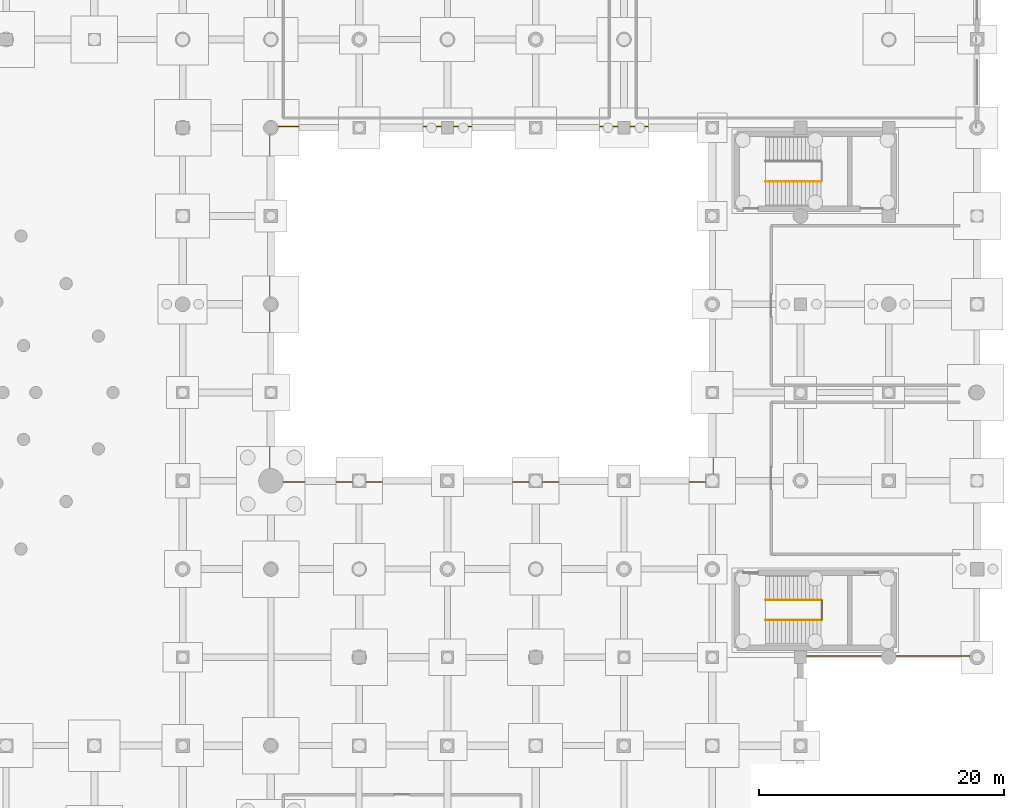
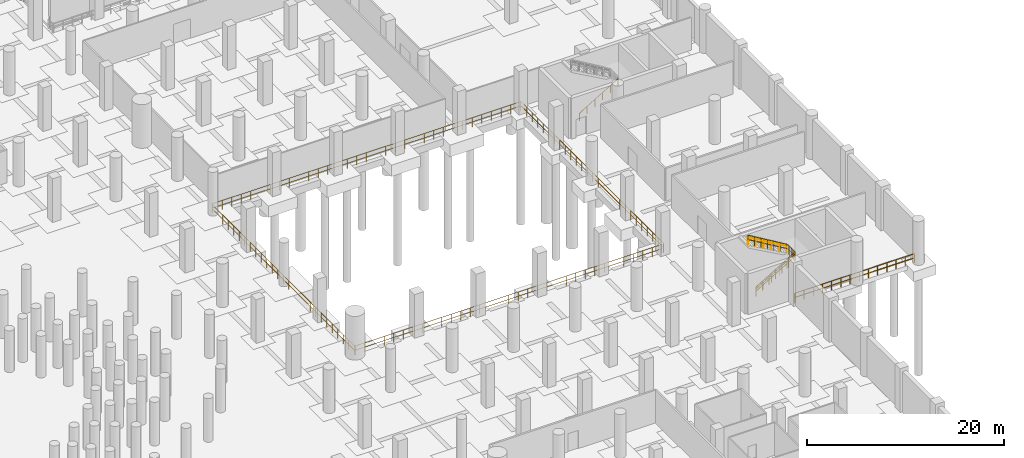
# One storey, part 34 of 37: 8 railings.
"""IFC4 building model written with IfcOpenShell, lengths in metres."""

from ifc_helpers import new_model, si_unit, direction, frame, origin, origin_2d, place, context, subcontext, project, spatial, circle, extrude, material, type_object, element, save


model = new_model("IFC4")

# Units and contexts
model_context = context("Model", 3, precision=1e-05, world=origin(), true_north=direction((0.0, 1.0)))
body_context = subcontext(model_context, "Body", "Model", "MODEL_VIEW")
ifc_project = project(units=[si_unit("LENGTHUNIT", "METRE"), si_unit("AREAUNIT", "SQUARE_METRE"), si_unit("VOLUMEUNIT", "CUBIC_METRE"), si_unit("PLANEANGLEUNIT", "RADIAN"), si_unit("MASSUNIT", "GRAM", prefix="KILO")], contexts=[model_context])

# Site, building, storey
site_placement = place(None, origin())
site = spatial("IfcSite", under=ifc_project, at=site_placement, CompositionType="ELEMENT")
building_placement = place(site_placement, origin())
building = spatial("IfcBuilding", under=site, at=building_placement, Name="Qandorah Velis Arena", CompositionType="ELEMENT")
storey_placement = place(building_placement, frame((0.0, 0.0, -5.39990234375)))
storey = spatial("IfcBuildingStorey", under=building, at=storey_placement, Name="B1", CompositionType="ELEMENT", Elevation=-5.39990234375)

# Railings
ifc_material = material(Name="Stainless steel 316", Category="steel")
railing_type_1 = type_object("IfcRailingType", Name="ARC-RL-GRD1150", PredefinedType="GUARDRAIL", material=ifc_material)
railing_1_placement = place(storey_placement, frame((160.14599609375, 46.239990234375, 2.699951171875)))
element("IfcRailing", 1, at=railing_1_placement, inside=storey, type_object=railing_type_1, Name="Stair ST7 well guardrail (B1)", PredefinedType="GUARDRAIL", context=body_context, shape_type="SweptSolid", body=[
    extrude(circle(Radius=0.02392578125, at=origin_2d()), frame((0.0, 0.0, 1.1259765625), z_axis=(0.0, 1.0, 0.0), x_axis=(-1.0, 0.0, 0.0)), (0.0, 0.0, 1.0), 1.6201171875),
    extrude(circle(Radius=0.02392578125, at=origin_2d()), frame((0.0, 0.0, 0.597900390625), z_axis=(0.0, 1.0, 0.0), x_axis=(-1.0, 0.0, 0.0)), (0.0, 0.0, 1.0), 1.6201171875),
    extrude(circle(Radius=0.02099609375, at=origin_2d()), origin(), (0.0, 0.0, 1.0), 1.101806640625),
    extrude(circle(Radius=0.02099609375, at=origin_2d()), frame((0.0, 0.27001953125, 0.0)), (0.0, 0.0, 1.0), 1.101806640625),
    extrude(circle(Radius=0.02099609375, at=origin_2d()), frame((0.0, 0.5400390625, 0.0)), (0.0, 0.0, 1.0), 1.101806640625),
    extrude(circle(Radius=0.02099609375, at=origin_2d()), frame((0.0, 0.81005859375, 0.0)), (0.0, 0.0, 1.0), 1.101806640625),
    extrude(circle(Radius=0.02099609375, at=origin_2d()), frame((0.0, 1.080078125, 0.0)), (0.0, 0.0, 1.0), 1.101806640625),
    extrude(circle(Radius=0.02099609375, at=origin_2d()), frame((0.0, 1.35009765625, 0.0)), (0.0, 0.0, 1.0), 1.101806640625),
    extrude(circle(Radius=0.02099609375, at=origin_2d()), frame((0.0, 1.6201171875, 0.0)), (0.0, 0.0, 1.0), 1.101806640625),
])
railing_2_placement = place(storey_placement, frame((155.550048828125, 46.22998046875, 0.0)))
element("IfcRailing", 2, at=railing_2_placement, inside=storey, type_object=railing_type_1, Name="Stair ST7 inner flight 1 guardrail (B1)", PredefinedType="GUARDRAIL", context=body_context, shape_type="SweptSolid", body=[
    extrude(circle(Radius=0.02392578125, at=origin_2d()), frame((0.0, 0.0, 1.1259765625), z_axis=(0.859291432417, 0.0, 0.511486299107), x_axis=(0.0, 1.0, 0.0)), (0.0, 0.0, 1.0), 5.278564453125),
    extrude(circle(Radius=0.02392578125, at=origin_2d()), frame((0.0, 0.0, 0.597900390625), z_axis=(0.859291432417, 0.0, 0.511486299107), x_axis=(0.0, 1.0, 0.0)), (0.0, 0.0, 1.0), 5.278564453125),
    extrude(circle(Radius=0.02099609375, at=origin_2d()), origin(), (0.0, 0.0, 1.0), 1.101806640625),
    extrude(circle(Radius=0.02099609375, at=origin_2d()), frame((0.755859375, 0.0, 0.449951171875)), (0.0, 0.0, 1.0), 1.101806640625),
    extrude(circle(Radius=0.02099609375, at=origin_2d()), frame((1.511962890625, 0.0, 0.89990234375)), (0.0, 0.0, 1.0), 1.101806640625),
    extrude(circle(Radius=0.02099609375, at=origin_2d()), frame((2.26806640625, 0.0, 1.35009765625)), (0.0, 0.0, 1.0), 1.101806640625),
    extrude(circle(Radius=0.02099609375, at=origin_2d()), frame((3.02392578125, 0.0, 1.800048828125)), (0.0, 0.0, 1.0), 1.101806640625),
    extrude(circle(Radius=0.02099609375, at=origin_2d()), frame((3.77978515625, 0.0, 2.25)), (0.0, 0.0, 1.0), 1.101806640625),
    extrude(circle(Radius=0.02099609375, at=origin_2d()), frame((4.535888671875, 0.0, 2.699951171875)), (0.0, 0.0, 1.0), 1.101806640625),
])
railing_3_placement = place(storey_placement, frame((160.0859375, 47.8701171875, 2.699951171875)))
element("IfcRailing", 3, at=railing_3_placement, inside=storey, type_object=railing_type_1, Name="Stair ST7 inner flight 2 guardrail (B1)", PredefinedType="GUARDRAIL", context=body_context, shape_type="SweptSolid", body=[
    extrude(circle(Radius=0.02392578125, at=origin_2d()), frame((0.0, 0.0, 1.1259765625), z_axis=(-0.859291432417, 0.0, 0.511486299107), x_axis=(0.0, -1.0, 0.0)), (0.0, 0.0, 1.0), 5.278564453125),
    extrude(circle(Radius=0.02392578125, at=origin_2d()), frame((0.0, 0.0, 0.597900390625), z_axis=(-0.859291432417, 0.0, 0.511486299107), x_axis=(0.0, -1.0, 0.0)), (0.0, 0.0, 1.0), 5.278564453125),
    extrude(circle(Radius=0.02099609375, at=origin_2d()), origin(), (0.0, 0.0, 1.0), 1.101806640625),
    extrude(circle(Radius=0.02099609375, at=origin_2d()), frame((-0.755859375, 0.0, 0.449951171875)), (0.0, 0.0, 1.0), 1.101806640625),
    extrude(circle(Radius=0.02099609375, at=origin_2d()), frame((-1.511962890625, 0.0, 0.89990234375)), (0.0, 0.0, 1.0), 1.101806640625),
    extrude(circle(Radius=0.02099609375, at=origin_2d()), frame((-2.26806640625, 0.0, 1.35009765625)), (0.0, 0.0, 1.0), 1.101806640625),
    extrude(circle(Radius=0.02099609375, at=origin_2d()), frame((-3.02392578125, 0.0, 1.800048828125)), (0.0, 0.0, 1.0), 1.101806640625),
    extrude(circle(Radius=0.02099609375, at=origin_2d()), frame((-3.77978515625, 0.0, 2.25)), (0.0, 0.0, 1.0), 1.101806640625),
    extrude(circle(Radius=0.02099609375, at=origin_2d()), frame((-4.535888671875, 0.0, 2.699951171875)), (0.0, 0.0, 1.0), 1.101806640625),
])
railing_4_placement = place(storey_placement, frame((172.389892578125, 43.300048828125, 0.0)))
element("IfcRailing", 4, at=railing_4_placement, inside=storey, type_object=railing_type_1, Name="Slab edge safety guardrail B1-017", PredefinedType="GUARDRAIL", context=body_context, shape_type="SweptSolid", body=[
    extrude(circle(Radius=0.02392578125, at=origin_2d()), frame((0.0, 0.0, 1.1259765625), z_axis=(-1.0, 0.0, 0.0), x_axis=(0.0, -1.0, 0.0)), (0.0, 0.0, 1.0), 13.989990234375),
    extrude(circle(Radius=0.02392578125, at=origin_2d()), frame((0.0, 0.0, 0.597900390625), z_axis=(-1.0, 0.0, 0.0), x_axis=(0.0, -1.0, 0.0)), (0.0, 0.0, 1.0), 13.989990234375),
    extrude(circle(Radius=0.02392578125, at=origin_2d()), frame((-13.989990234375, 0.0, 1.1259765625), z_axis=(-0.77215252196, -0.635437237523, 0.0), x_axis=(0.635437237523, -0.77215252196, 0.0)), (0.0, 0.0, 1.0), 0.126708984375),
    extrude(circle(Radius=0.02392578125, at=origin_2d()), frame((-13.989990234375, 0.0, 0.597900390625), z_axis=(-0.77215252196, -0.635437237523, 0.0), x_axis=(0.635437237523, -0.77215252196, 0.0)), (0.0, 0.0, 1.0), 0.126708984375),
    extrude(circle(Radius=0.02099609375, at=origin_2d()), origin(), (0.0, 0.0, 1.0), 1.101806640625),
    extrude(circle(Radius=0.02099609375, at=origin_2d()), frame((-1.076171875, 0.0, 0.0)), (0.0, 0.0, 1.0), 1.101806640625),
    extrude(circle(Radius=0.02099609375, at=origin_2d()), frame((-2.15234375, 0.0, 0.0)), (0.0, 0.0, 1.0), 1.101806640625),
    extrude(circle(Radius=0.02099609375, at=origin_2d()), frame((-3.228515625, 0.0, 0.0)), (0.0, 0.0, 1.0), 1.101806640625),
    extrude(circle(Radius=0.02099609375, at=origin_2d()), frame((-4.3046875, 0.0, 0.0)), (0.0, 0.0, 1.0), 1.101806640625),
    extrude(circle(Radius=0.02099609375, at=origin_2d()), frame((-5.380859375, 0.0, 0.0)), (0.0, 0.0, 1.0), 1.101806640625),
    extrude(circle(Radius=0.02099609375, at=origin_2d()), frame((-6.45703125, 0.0, 0.0)), (0.0, 0.0, 1.0), 1.101806640625),
    extrude(circle(Radius=0.02099609375, at=origin_2d()), frame((-7.532958984375, 0.0, 0.0)), (0.0, 0.0, 1.0), 1.101806640625),
    extrude(circle(Radius=0.02099609375, at=origin_2d()), frame((-8.609130859375, 0.0, 0.0)), (0.0, 0.0, 1.0), 1.101806640625),
    extrude(circle(Radius=0.02099609375, at=origin_2d()), frame((-9.685302734375, 0.0, 0.0)), (0.0, 0.0, 1.0), 1.101806640625),
    extrude(circle(Radius=0.02099609375, at=origin_2d()), frame((-10.761474609375, 0.0, 0.0)), (0.0, 0.0, 1.0), 1.101806640625),
    extrude(circle(Radius=0.02099609375, at=origin_2d()), frame((-11.837646484375, 0.0, 0.0)), (0.0, 0.0, 1.0), 1.101806640625),
    extrude(circle(Radius=0.02099609375, at=origin_2d()), frame((-12.913818359375, 0.0, 0.0)), (0.0, 0.0, 1.0), 1.101806640625),
    extrude(circle(Radius=0.02099609375, at=origin_2d()), frame((-13.989990234375, 0.0, 0.0)), (0.0, 0.0, 1.0), 1.101806640625),
    extrude(circle(Radius=0.02099609375, at=origin_2d()), frame((-14.087890625, -0.08056640625, 0.0)), (0.0, 0.0, 1.0), 1.101806640625),
])
railing_5_placement = place(storey_placement, frame((151.199951171875, 57.5, 0.0)))
element("IfcRailing", 5, at=railing_5_placement, inside=storey, type_object=railing_type_1, Name="Slab edge safety guardrail B1-018", PredefinedType="GUARDRAIL", context=body_context, shape_type="SweptSolid", body=[
    extrude(circle(Radius=0.02392578125, at=origin_2d()), frame((0.0, 0.0, 1.1259765625), z_axis=(0.772928297309, 0.634493378388, 0.0), x_axis=(-0.634493378388, 0.772928297309, 0.0)), (0.0, 0.0, 1.0), 0.126953125),
    extrude(circle(Radius=0.02392578125, at=origin_2d()), frame((0.0, 0.0, 0.597900390625), z_axis=(0.772928297309, 0.634493378388, 0.0), x_axis=(-0.634493378388, 0.772928297309, 0.0)), (0.0, 0.0, 1.0), 0.126953125),
    extrude(circle(Radius=0.02392578125, at=origin_2d()), frame((0.09814453125, 0.08056640625, 1.1259765625), z_axis=(6.7771339e-05, 0.999999997704, 0.0), x_axis=(-0.999999997704, 6.7771339e-05, 0.0)), (0.0, 0.0, 1.0), 28.8193359375),
    extrude(circle(Radius=0.02392578125, at=origin_2d()), frame((0.09814453125, 0.08056640625, 0.597900390625), z_axis=(6.7771339e-05, 0.999999997704, 0.0), x_axis=(-0.999999997704, 6.7771339e-05, 0.0)), (0.0, 0.0, 1.0), 28.8193359375),
    extrude(circle(Radius=0.02392578125, at=origin_2d()), frame((0.10009765625, 28.89990234375, 1.1259765625), z_axis=(-0.634493378388, 0.772928297309, 0.0), x_axis=(-0.772928297309, -0.634493378388, 0.0)), (0.0, 0.0, 1.0), 0.126953125),
    extrude(circle(Radius=0.02392578125, at=origin_2d()), frame((0.10009765625, 28.89990234375, 0.597900390625), z_axis=(-0.634493378388, 0.772928297309, 0.0), x_axis=(-0.772928297309, -0.634493378388, 0.0)), (0.0, 0.0, 1.0), 0.126953125),
    extrude(circle(Radius=0.02392578125, at=origin_2d()), frame((0.01953125, 28.998046875, 1.1259765625), z_axis=(-0.99999999853, 5.4224054e-05, 0.0), x_axis=(-5.4224054e-05, -0.99999999853, 0.0)), (0.0, 0.0, 1.0), 36.01953125),
    extrude(circle(Radius=0.02392578125, at=origin_2d()), frame((0.01953125, 28.998046875, 0.597900390625), z_axis=(-0.99999999853, 5.4224054e-05, 0.0), x_axis=(-5.4224054e-05, -0.99999999853, 0.0)), (0.0, 0.0, 1.0), 36.01953125),
    extrude(circle(Radius=0.02392578125, at=origin_2d()), frame((-36.0, 29.0, 1.1259765625), z_axis=(-0.772928297309, -0.634493378388, 0.0), x_axis=(0.634493378388, -0.772928297309, 0.0)), (0.0, 0.0, 1.0), 0.126953125),
    extrude(circle(Radius=0.02392578125, at=origin_2d()), frame((-36.0, 29.0, 0.597900390625), z_axis=(-0.772928297309, -0.634493378388, 0.0), x_axis=(0.634493378388, -0.772928297309, 0.0)), (0.0, 0.0, 1.0), 0.126953125),
    extrude(circle(Radius=0.02392578125, at=origin_2d()), frame((-36.09814453125, 28.91943359375, 1.1259765625), z_axis=(-5.9299922e-05, -0.999999998242, 0.0), x_axis=(0.999999998242, -5.9299922e-05, 0.0)), (0.0, 0.0, 1.0), 28.8193359375),
    extrude(circle(Radius=0.02392578125, at=origin_2d()), frame((-36.09814453125, 28.91943359375, 0.597900390625), z_axis=(-5.9299922e-05, -0.999999998242, 0.0), x_axis=(0.999999998242, -5.9299922e-05, 0.0)), (0.0, 0.0, 1.0), 28.8193359375),
    extrude(circle(Radius=0.02392578125, at=origin_2d()), frame((-36.099853515625, 0.10009765625, 1.1259765625), z_axis=(0.633342614097, -0.773871522392, 0.0), x_axis=(0.773871522392, 0.633342614097, 0.0)), (0.0, 0.0, 1.0), 0.126708984375),
    extrude(circle(Radius=0.02392578125, at=origin_2d()), frame((-36.099853515625, 0.10009765625, 0.597900390625), z_axis=(0.633342614097, -0.773871522392, 0.0), x_axis=(0.773871522392, 0.633342614097, 0.0)), (0.0, 0.0, 1.0), 0.126708984375),
    extrude(circle(Radius=0.02392578125, at=origin_2d()), frame((-36.01953125, 0.001953125, 1.1259765625), z_axis=(0.999999998517, -5.446586e-05, 0.0), x_axis=(5.446586e-05, 0.999999998517, 0.0)), (0.0, 0.0, 1.0), 35.859619140625),
    extrude(circle(Radius=0.02392578125, at=origin_2d()), frame((-36.01953125, 0.001953125, 0.597900390625), z_axis=(0.999999998517, -5.446586e-05, 0.0), x_axis=(5.446586e-05, 0.999999998517, 0.0)), (0.0, 0.0, 1.0), 35.859619140625),
    extrude(circle(Radius=0.02099609375, at=origin_2d()), origin(), (0.0, 0.0, 1.0), 1.101806640625),
    extrude(circle(Radius=0.02099609375, at=origin_2d()), frame((0.09814453125, 0.08056640625, 0.0)), (0.0, 0.0, 1.0), 1.101806640625),
    extrude(circle(Radius=0.02099609375, at=origin_2d()), frame((0.09814453125, 1.18896484375, 0.0)), (0.0, 0.0, 1.0), 1.101806640625),
    extrude(circle(Radius=0.02099609375, at=origin_2d()), frame((0.098388671875, 2.29736328125, 0.0)), (0.0, 0.0, 1.0), 1.101806640625),
    extrude(circle(Radius=0.02099609375, at=origin_2d()), frame((0.098388671875, 3.40576171875, 0.0)), (0.0, 0.0, 1.0), 1.101806640625),
    extrude(circle(Radius=0.02099609375, at=origin_2d()), frame((0.098388671875, 4.514404296875, 0.0)), (0.0, 0.0, 1.0), 1.101806640625),
    extrude(circle(Radius=0.02099609375, at=origin_2d()), frame((0.0986328125, 5.622802734375, 0.0)), (0.0, 0.0, 1.0), 1.101806640625),
    extrude(circle(Radius=0.02099609375, at=origin_2d()), frame((0.0986328125, 6.731201171875, 0.0)), (0.0, 0.0, 1.0), 1.101806640625),
    extrude(circle(Radius=0.02099609375, at=origin_2d()), frame((0.0986328125, 7.839599609375, 0.0)), (0.0, 0.0, 1.0), 1.101806640625),
    extrude(circle(Radius=0.02099609375, at=origin_2d()), frame((0.0986328125, 8.947998046875, 0.0)), (0.0, 0.0, 1.0), 1.101806640625),
    extrude(circle(Radius=0.02099609375, at=origin_2d()), frame((0.098876953125, 10.056396484375, 0.0)), (0.0, 0.0, 1.0), 1.101806640625),
    extrude(circle(Radius=0.02099609375, at=origin_2d()), frame((0.098876953125, 11.1650390625, 0.0)), (0.0, 0.0, 1.0), 1.101806640625),
    extrude(circle(Radius=0.02099609375, at=origin_2d()), frame((0.098876953125, 12.2734375, 0.0)), (0.0, 0.0, 1.0), 1.101806640625),
    extrude(circle(Radius=0.02099609375, at=origin_2d()), frame((0.09912109375, 13.3818359375, 0.0)), (0.0, 0.0, 1.0), 1.101806640625),
    extrude(circle(Radius=0.02099609375, at=origin_2d()), frame((0.09912109375, 14.490234375, 0.0)), (0.0, 0.0, 1.0), 1.101806640625),
    extrude(circle(Radius=0.02099609375, at=origin_2d()), frame((0.09912109375, 15.5986328125, 0.0)), (0.0, 0.0, 1.0), 1.101806640625),
    extrude(circle(Radius=0.02099609375, at=origin_2d()), frame((0.099365234375, 16.70703125, 0.0)), (0.0, 0.0, 1.0), 1.101806640625),
    extrude(circle(Radius=0.02099609375, at=origin_2d()), frame((0.099365234375, 17.8154296875, 0.0)), (0.0, 0.0, 1.0), 1.101806640625),
    extrude(circle(Radius=0.02099609375, at=origin_2d()), frame((0.099365234375, 18.924072265625, 0.0)), (0.0, 0.0, 1.0), 1.101806640625),
    extrude(circle(Radius=0.02099609375, at=origin_2d()), frame((0.099609375, 20.032470703125, 0.0)), (0.0, 0.0, 1.0), 1.101806640625),
    extrude(circle(Radius=0.02099609375, at=origin_2d()), frame((0.099609375, 21.140869140625, 0.0)), (0.0, 0.0, 1.0), 1.101806640625),
    extrude(circle(Radius=0.02099609375, at=origin_2d()), frame((0.099609375, 22.249267578125, 0.0)), (0.0, 0.0, 1.0), 1.101806640625),
    extrude(circle(Radius=0.02099609375, at=origin_2d()), frame((0.099609375, 23.357666015625, 0.0)), (0.0, 0.0, 1.0), 1.101806640625),
    extrude(circle(Radius=0.02099609375, at=origin_2d()), frame((0.099853515625, 24.466064453125, 0.0)), (0.0, 0.0, 1.0), 1.101806640625),
    extrude(circle(Radius=0.02099609375, at=origin_2d()), frame((0.099853515625, 25.57470703125, 0.0)), (0.0, 0.0, 1.0), 1.101806640625),
    extrude(circle(Radius=0.02099609375, at=origin_2d()), frame((0.099853515625, 26.68310546875, 0.0)), (0.0, 0.0, 1.0), 1.101806640625),
    extrude(circle(Radius=0.02099609375, at=origin_2d()), frame((0.10009765625, 27.79150390625, 0.0)), (0.0, 0.0, 1.0), 1.101806640625),
    extrude(circle(Radius=0.02099609375, at=origin_2d()), frame((0.10009765625, 28.89990234375, 0.0)), (0.0, 0.0, 1.0), 1.101806640625),
    extrude(circle(Radius=0.02099609375, at=origin_2d()), frame((0.01953125, 28.998046875, 0.0)), (0.0, 0.0, 1.0), 1.101806640625),
    extrude(circle(Radius=0.02099609375, at=origin_2d()), frame((-1.10595703125, 28.998046875, 0.0)), (0.0, 0.0, 1.0), 1.101806640625),
    extrude(circle(Radius=0.02099609375, at=origin_2d()), frame((-2.231689453125, 28.998046875, 0.0)), (0.0, 0.0, 1.0), 1.101806640625),
    extrude(circle(Radius=0.02099609375, at=origin_2d()), frame((-3.357421875, 28.998291015625, 0.0)), (0.0, 0.0, 1.0), 1.101806640625),
    extrude(circle(Radius=0.02099609375, at=origin_2d()), frame((-4.48291015625, 28.998291015625, 0.0)), (0.0, 0.0, 1.0), 1.101806640625),
    extrude(circle(Radius=0.02099609375, at=origin_2d()), frame((-5.6083984375, 28.998291015625, 0.0)), (0.0, 0.0, 1.0), 1.101806640625),
    extrude(circle(Radius=0.02099609375, at=origin_2d()), frame((-6.734130859375, 28.99853515625, 0.0)), (0.0, 0.0, 1.0), 1.101806640625),
    extrude(circle(Radius=0.02099609375, at=origin_2d()), frame((-7.85986328125, 28.99853515625, 0.0)), (0.0, 0.0, 1.0), 1.101806640625),
    extrude(circle(Radius=0.02099609375, at=origin_2d()), frame((-8.9853515625, 28.99853515625, 0.0)), (0.0, 0.0, 1.0), 1.101806640625),
    extrude(circle(Radius=0.02099609375, at=origin_2d()), frame((-10.11083984375, 28.99853515625, 0.0)), (0.0, 0.0, 1.0), 1.101806640625),
    extrude(circle(Radius=0.02099609375, at=origin_2d()), frame((-11.236572265625, 28.99853515625, 0.0)), (0.0, 0.0, 1.0), 1.101806640625),
    extrude(circle(Radius=0.02099609375, at=origin_2d()), frame((-12.3623046875, 28.998779296875, 0.0)), (0.0, 0.0, 1.0), 1.101806640625),
    extrude(circle(Radius=0.02099609375, at=origin_2d()), frame((-13.48779296875, 28.998779296875, 0.0)), (0.0, 0.0, 1.0), 1.101806640625),
    extrude(circle(Radius=0.02099609375, at=origin_2d()), frame((-14.61328125, 28.998779296875, 0.0)), (0.0, 0.0, 1.0), 1.101806640625),
    extrude(circle(Radius=0.02099609375, at=origin_2d()), frame((-15.739013671875, 28.9990234375, 0.0)), (0.0, 0.0, 1.0), 1.101806640625),
    extrude(circle(Radius=0.02099609375, at=origin_2d()), frame((-16.86474609375, 28.9990234375, 0.0)), (0.0, 0.0, 1.0), 1.101806640625),
    extrude(circle(Radius=0.02099609375, at=origin_2d()), frame((-17.990234375, 28.9990234375, 0.0)), (0.0, 0.0, 1.0), 1.101806640625),
    extrude(circle(Radius=0.02099609375, at=origin_2d()), frame((-19.11572265625, 28.9990234375, 0.0)), (0.0, 0.0, 1.0), 1.101806640625),
    extrude(circle(Radius=0.02099609375, at=origin_2d()), frame((-20.241455078125, 28.9990234375, 0.0)), (0.0, 0.0, 1.0), 1.101806640625),
    extrude(circle(Radius=0.02099609375, at=origin_2d()), frame((-21.3671875, 28.999267578125, 0.0)), (0.0, 0.0, 1.0), 1.101806640625),
    extrude(circle(Radius=0.02099609375, at=origin_2d()), frame((-22.49267578125, 28.999267578125, 0.0)), (0.0, 0.0, 1.0), 1.101806640625),
    extrude(circle(Radius=0.02099609375, at=origin_2d()), frame((-23.6181640625, 28.999267578125, 0.0)), (0.0, 0.0, 1.0), 1.101806640625),
    extrude(circle(Radius=0.02099609375, at=origin_2d()), frame((-24.743896484375, 28.99951171875, 0.0)), (0.0, 0.0, 1.0), 1.101806640625),
    extrude(circle(Radius=0.02099609375, at=origin_2d()), frame((-25.86962890625, 28.99951171875, 0.0)), (0.0, 0.0, 1.0), 1.101806640625),
    extrude(circle(Radius=0.02099609375, at=origin_2d()), frame((-26.9951171875, 28.99951171875, 0.0)), (0.0, 0.0, 1.0), 1.101806640625),
    extrude(circle(Radius=0.02099609375, at=origin_2d()), frame((-28.12060546875, 28.99951171875, 0.0)), (0.0, 0.0, 1.0), 1.101806640625),
    extrude(circle(Radius=0.02099609375, at=origin_2d()), frame((-29.246337890625, 28.99951171875, 0.0)), (0.0, 0.0, 1.0), 1.101806640625),
    extrude(circle(Radius=0.02099609375, at=origin_2d()), frame((-30.3720703125, 28.999755859375, 0.0)), (0.0, 0.0, 1.0), 1.101806640625),
    extrude(circle(Radius=0.02099609375, at=origin_2d()), frame((-31.49755859375, 28.999755859375, 0.0)), (0.0, 0.0, 1.0), 1.101806640625),
    extrude(circle(Radius=0.02099609375, at=origin_2d()), frame((-32.623046875, 28.999755859375, 0.0)), (0.0, 0.0, 1.0), 1.101806640625),
    extrude(circle(Radius=0.02099609375, at=origin_2d()), frame((-33.748779296875, 29.0, 0.0)), (0.0, 0.0, 1.0), 1.101806640625),
    extrude(circle(Radius=0.02099609375, at=origin_2d()), frame((-34.87451171875, 29.0, 0.0)), (0.0, 0.0, 1.0), 1.101806640625),
    extrude(circle(Radius=0.02099609375, at=origin_2d()), frame((-36.0, 29.0, 0.0)), (0.0, 0.0, 1.0), 1.101806640625),
    extrude(circle(Radius=0.02099609375, at=origin_2d()), frame((-36.09814453125, 28.91943359375, 0.0)), (0.0, 0.0, 1.0), 1.101806640625),
    extrude(circle(Radius=0.02099609375, at=origin_2d()), frame((-36.09814453125, 27.81103515625, 0.0)), (0.0, 0.0, 1.0), 1.101806640625),
    extrude(circle(Radius=0.02099609375, at=origin_2d()), frame((-36.098388671875, 26.70263671875, 0.0)), (0.0, 0.0, 1.0), 1.101806640625),
    extrude(circle(Radius=0.02099609375, at=origin_2d()), frame((-36.098388671875, 25.59423828125, 0.0)), (0.0, 0.0, 1.0), 1.101806640625),
    extrude(circle(Radius=0.02099609375, at=origin_2d()), frame((-36.098388671875, 24.485595703125, 0.0)), (0.0, 0.0, 1.0), 1.101806640625),
    extrude(circle(Radius=0.02099609375, at=origin_2d()), frame((-36.098388671875, 23.377197265625, 0.0)), (0.0, 0.0, 1.0), 1.101806640625),
    extrude(circle(Radius=0.02099609375, at=origin_2d()), frame((-36.0986328125, 22.268798828125, 0.0)), (0.0, 0.0, 1.0), 1.101806640625),
    extrude(circle(Radius=0.02099609375, at=origin_2d()), frame((-36.0986328125, 21.160400390625, 0.0)), (0.0, 0.0, 1.0), 1.101806640625),
    extrude(circle(Radius=0.02099609375, at=origin_2d()), frame((-36.0986328125, 20.052001953125, 0.0)), (0.0, 0.0, 1.0), 1.101806640625),
    extrude(circle(Radius=0.02099609375, at=origin_2d()), frame((-36.0986328125, 18.943603515625, 0.0)), (0.0, 0.0, 1.0), 1.101806640625),
    extrude(circle(Radius=0.02099609375, at=origin_2d()), frame((-36.098876953125, 17.8349609375, 0.0)), (0.0, 0.0, 1.0), 1.101806640625),
    extrude(circle(Radius=0.02099609375, at=origin_2d()), frame((-36.098876953125, 16.7265625, 0.0)), (0.0, 0.0, 1.0), 1.101806640625),
    extrude(circle(Radius=0.02099609375, at=origin_2d()), frame((-36.098876953125, 15.6181640625, 0.0)), (0.0, 0.0, 1.0), 1.101806640625),
    extrude(circle(Radius=0.02099609375, at=origin_2d()), frame((-36.09912109375, 14.509765625, 0.0)), (0.0, 0.0, 1.0), 1.101806640625),
    extrude(circle(Radius=0.02099609375, at=origin_2d()), frame((-36.09912109375, 13.4013671875, 0.0)), (0.0, 0.0, 1.0), 1.101806640625),
    extrude(circle(Radius=0.02099609375, at=origin_2d()), frame((-36.09912109375, 12.29296875, 0.0)), (0.0, 0.0, 1.0), 1.101806640625),
    extrude(circle(Radius=0.02099609375, at=origin_2d()), frame((-36.09912109375, 11.1845703125, 0.0)), (0.0, 0.0, 1.0), 1.101806640625),
    extrude(circle(Radius=0.02099609375, at=origin_2d()), frame((-36.099365234375, 10.075927734375, 0.0)), (0.0, 0.0, 1.0), 1.101806640625),
    extrude(circle(Radius=0.02099609375, at=origin_2d()), frame((-36.099365234375, 8.967529296875, 0.0)), (0.0, 0.0, 1.0), 1.101806640625),
    extrude(circle(Radius=0.02099609375, at=origin_2d()), frame((-36.099365234375, 7.859130859375, 0.0)), (0.0, 0.0, 1.0), 1.101806640625),
    extrude(circle(Radius=0.02099609375, at=origin_2d()), frame((-36.099365234375, 6.750732421875, 0.0)), (0.0, 0.0, 1.0), 1.101806640625),
    extrude(circle(Radius=0.02099609375, at=origin_2d()), frame((-36.099609375, 5.642333984375, 0.0)), (0.0, 0.0, 1.0), 1.101806640625),
    extrude(circle(Radius=0.02099609375, at=origin_2d()), frame((-36.099609375, 4.533935546875, 0.0)), (0.0, 0.0, 1.0), 1.101806640625),
    extrude(circle(Radius=0.02099609375, at=origin_2d()), frame((-36.099609375, 3.42529296875, 0.0)), (0.0, 0.0, 1.0), 1.101806640625),
    extrude(circle(Radius=0.02099609375, at=origin_2d()), frame((-36.099609375, 2.31689453125, 0.0)), (0.0, 0.0, 1.0), 1.101806640625),
    extrude(circle(Radius=0.02099609375, at=origin_2d()), frame((-36.099853515625, 1.20849609375, 0.0)), (0.0, 0.0, 1.0), 1.101806640625),
    extrude(circle(Radius=0.02099609375, at=origin_2d()), frame((-36.099853515625, 0.10009765625, 0.0)), (0.0, 0.0, 1.0), 1.101806640625),
    extrude(circle(Radius=0.02099609375, at=origin_2d()), frame((-36.01953125, 0.001953125, 0.0)), (0.0, 0.0, 1.0), 1.101806640625),
    extrude(circle(Radius=0.02099609375, at=origin_2d()), frame((-34.89892578125, 0.001953125, 0.0)), (0.0, 0.0, 1.0), 1.101806640625),
    extrude(circle(Radius=0.02099609375, at=origin_2d()), frame((-33.7783203125, 0.001953125, 0.0)), (0.0, 0.0, 1.0), 1.101806640625),
    extrude(circle(Radius=0.02099609375, at=origin_2d()), frame((-32.65771484375, 0.001708984375, 0.0)), (0.0, 0.0, 1.0), 1.101806640625),
    extrude(circle(Radius=0.02099609375, at=origin_2d()), frame((-31.537109375, 0.001708984375, 0.0)), (0.0, 0.0, 1.0), 1.101806640625),
    extrude(circle(Radius=0.02099609375, at=origin_2d()), frame((-30.41650390625, 0.001708984375, 0.0)), (0.0, 0.0, 1.0), 1.101806640625),
    extrude(circle(Radius=0.02099609375, at=origin_2d()), frame((-29.2958984375, 0.00146484375, 0.0)), (0.0, 0.0, 1.0), 1.101806640625),
    extrude(circle(Radius=0.02099609375, at=origin_2d()), frame((-28.17529296875, 0.00146484375, 0.0)), (0.0, 0.0, 1.0), 1.101806640625),
    extrude(circle(Radius=0.02099609375, at=origin_2d()), frame((-27.0546875, 0.00146484375, 0.0)), (0.0, 0.0, 1.0), 1.101806640625),
    extrude(circle(Radius=0.02099609375, at=origin_2d()), frame((-25.93408203125, 0.00146484375, 0.0)), (0.0, 0.0, 1.0), 1.101806640625),
    extrude(circle(Radius=0.02099609375, at=origin_2d()), frame((-24.8134765625, 0.00146484375, 0.0)), (0.0, 0.0, 1.0), 1.101806640625),
    extrude(circle(Radius=0.02099609375, at=origin_2d()), frame((-23.69287109375, 0.001220703125, 0.0)), (0.0, 0.0, 1.0), 1.101806640625),
    extrude(circle(Radius=0.02099609375, at=origin_2d()), frame((-22.572265625, 0.001220703125, 0.0)), (0.0, 0.0, 1.0), 1.101806640625),
    extrude(circle(Radius=0.02099609375, at=origin_2d()), frame((-21.45166015625, 0.001220703125, 0.0)), (0.0, 0.0, 1.0), 1.101806640625),
    extrude(circle(Radius=0.02099609375, at=origin_2d()), frame((-20.3310546875, 0.0009765625, 0.0)), (0.0, 0.0, 1.0), 1.101806640625),
    extrude(circle(Radius=0.02099609375, at=origin_2d()), frame((-19.21044921875, 0.0009765625, 0.0)), (0.0, 0.0, 1.0), 1.101806640625),
    extrude(circle(Radius=0.02099609375, at=origin_2d()), frame((-18.08984375, 0.0009765625, 0.0)), (0.0, 0.0, 1.0), 1.101806640625),
    extrude(circle(Radius=0.02099609375, at=origin_2d()), frame((-16.968994140625, 0.0009765625, 0.0)), (0.0, 0.0, 1.0), 1.101806640625),
    extrude(circle(Radius=0.02099609375, at=origin_2d()), frame((-15.848388671875, 0.0009765625, 0.0)), (0.0, 0.0, 1.0), 1.101806640625),
    extrude(circle(Radius=0.02099609375, at=origin_2d()), frame((-14.727783203125, 0.000732421875, 0.0)), (0.0, 0.0, 1.0), 1.101806640625),
    extrude(circle(Radius=0.02099609375, at=origin_2d()), frame((-13.607177734375, 0.000732421875, 0.0)), (0.0, 0.0, 1.0), 1.101806640625),
    extrude(circle(Radius=0.02099609375, at=origin_2d()), frame((-12.486572265625, 0.000732421875, 0.0)), (0.0, 0.0, 1.0), 1.101806640625),
    extrude(circle(Radius=0.02099609375, at=origin_2d()), frame((-11.365966796875, 0.00048828125, 0.0)), (0.0, 0.0, 1.0), 1.101806640625),
    extrude(circle(Radius=0.02099609375, at=origin_2d()), frame((-10.245361328125, 0.00048828125, 0.0)), (0.0, 0.0, 1.0), 1.101806640625),
    extrude(circle(Radius=0.02099609375, at=origin_2d()), frame((-9.124755859375, 0.00048828125, 0.0)), (0.0, 0.0, 1.0), 1.101806640625),
    extrude(circle(Radius=0.02099609375, at=origin_2d()), frame((-8.004150390625, 0.00048828125, 0.0)), (0.0, 0.0, 1.0), 1.101806640625),
    extrude(circle(Radius=0.02099609375, at=origin_2d()), frame((-6.883544921875, 0.00048828125, 0.0)), (0.0, 0.0, 1.0), 1.101806640625),
    extrude(circle(Radius=0.02099609375, at=origin_2d()), frame((-5.762939453125, 0.000244140625, 0.0)), (0.0, 0.0, 1.0), 1.101806640625),
    extrude(circle(Radius=0.02099609375, at=origin_2d()), frame((-4.642333984375, 0.000244140625, 0.0)), (0.0, 0.0, 1.0), 1.101806640625),
    extrude(circle(Radius=0.02099609375, at=origin_2d()), frame((-3.521728515625, 0.000244140625, 0.0)), (0.0, 0.0, 1.0), 1.101806640625),
    extrude(circle(Radius=0.02099609375, at=origin_2d()), frame((-2.401123046875, 0.0, 0.0)), (0.0, 0.0, 1.0), 1.101806640625),
    extrude(circle(Radius=0.02099609375, at=origin_2d()), frame((-1.280517578125, 0.0, 0.0)), (0.0, 0.0, 1.0), 1.101806640625),
    extrude(circle(Radius=0.02099609375, at=origin_2d()), frame((-0.159912109375, 0.0, 0.0)), (0.0, 0.0, 1.0), 1.101806640625),
])
railing_type_2 = type_object("IfcRailingType", Name="ARC-RL-HND920", PredefinedType="HANDRAIL", material=ifc_material)
railing_6_placement = place(storey_placement, frame((155.550048828125, 46.22998046875, 0.0)))
element("IfcRailing", 6, at=railing_6_placement, inside=storey, type_object=railing_type_2, Name="Stair ST7 inner handrail 1 (B1)", PredefinedType="HANDRAIL", context=body_context, shape_type="SweptSolid", body=[
    extrude(circle(Radius=0.02392578125, at=origin_2d()), frame((0.0, 0.0, 0.89599609375), z_axis=(0.859291432417, 0.0, 0.511486299107), x_axis=(0.0, 1.0, 0.0)), (0.0, 0.0, 1.0), 5.278564453125),
    extrude(circle(Radius=0.02099609375, at=origin_2d()), origin(), (0.0, 0.0, 1.0), 0.871826171875),
    extrude(circle(Radius=0.02099609375, at=origin_2d()), frame((0.9072265625, 0.0, 0.5400390625)), (0.0, 0.0, 1.0), 0.871826171875),
    extrude(circle(Radius=0.02099609375, at=origin_2d()), frame((1.814453125, 0.0, 1.080078125)), (0.0, 0.0, 1.0), 0.871826171875),
    extrude(circle(Radius=0.02099609375, at=origin_2d()), frame((2.721435546875, 0.0, 1.619873046875)), (0.0, 0.0, 1.0), 0.871826171875),
    extrude(circle(Radius=0.02099609375, at=origin_2d()), frame((3.628662109375, 0.0, 2.159912109375)), (0.0, 0.0, 1.0), 0.871826171875),
    extrude(circle(Radius=0.02099609375, at=origin_2d()), frame((4.535888671875, 0.0, 2.699951171875)), (0.0, 0.0, 1.0), 0.871826171875),
])
railing_7_placement = place(storey_placement, frame((160.0859375, 47.8701171875, 2.699951171875)))
element("IfcRailing", 7, at=railing_7_placement, inside=storey, type_object=railing_type_2, Name="Stair ST7 inner handrail 2 (B1)", PredefinedType="HANDRAIL", context=body_context, shape_type="SweptSolid", body=[
    extrude(circle(Radius=0.02392578125, at=origin_2d()), frame((0.0, 0.0, 0.89599609375), z_axis=(-0.859291432417, 0.0, 0.511486299107), x_axis=(0.0, -1.0, 0.0)), (0.0, 0.0, 1.0), 5.278564453125),
    extrude(circle(Radius=0.02099609375, at=origin_2d()), origin(), (0.0, 0.0, 1.0), 0.871826171875),
    extrude(circle(Radius=0.02099609375, at=origin_2d()), frame((-0.9072265625, 0.0, 0.5400390625)), (0.0, 0.0, 1.0), 0.871826171875),
    extrude(circle(Radius=0.02099609375, at=origin_2d()), frame((-1.814453125, 0.0, 1.080078125)), (0.0, 0.0, 1.0), 0.871826171875),
    extrude(circle(Radius=0.02099609375, at=origin_2d()), frame((-2.721435546875, 0.0, 1.619873046875)), (0.0, 0.0, 1.0), 0.871826171875),
    extrude(circle(Radius=0.02099609375, at=origin_2d()), frame((-3.628662109375, 0.0, 2.159912109375)), (0.0, 0.0, 1.0), 0.871826171875),
    extrude(circle(Radius=0.02099609375, at=origin_2d()), frame((-4.535888671875, 0.0, 2.699951171875)), (0.0, 0.0, 1.0), 0.871826171875),
])
railing_8_placement = place(storey_placement, frame((155.550048828125, 82.030029296875, 0.0)))
element("IfcRailing", 8, at=railing_8_placement, inside=storey, type_object=railing_type_2, Name="Stair ST8 inner handrail 1 (B1)", PredefinedType="HANDRAIL", context=body_context, shape_type="SweptSolid", body=[
    extrude(circle(Radius=0.02392578125, at=origin_2d()), frame((0.0, 0.0, 0.89599609375), z_axis=(0.859291432417, 0.0, 0.511486299107), x_axis=(0.0, 1.0, 0.0)), (0.0, 0.0, 1.0), 5.278564453125),
    extrude(circle(Radius=0.02099609375, at=origin_2d()), origin(), (0.0, 0.0, 1.0), 0.871826171875),
    extrude(circle(Radius=0.02099609375, at=origin_2d()), frame((0.9072265625, 0.0, 0.5400390625)), (0.0, 0.0, 1.0), 0.871826171875),
    extrude(circle(Radius=0.02099609375, at=origin_2d()), frame((1.814453125, 0.0, 1.080078125)), (0.0, 0.0, 1.0), 0.871826171875),
    extrude(circle(Radius=0.02099609375, at=origin_2d()), frame((2.721435546875, 0.0, 1.619873046875)), (0.0, 0.0, 1.0), 0.871826171875),
    extrude(circle(Radius=0.02099609375, at=origin_2d()), frame((3.628662109375, 0.0, 2.159912109375)), (0.0, 0.0, 1.0), 0.871826171875),
    extrude(circle(Radius=0.02099609375, at=origin_2d()), frame((4.535888671875, 0.0, 2.699951171875)), (0.0, 0.0, 1.0), 0.871826171875),
])

save(model, "model.ifc")
